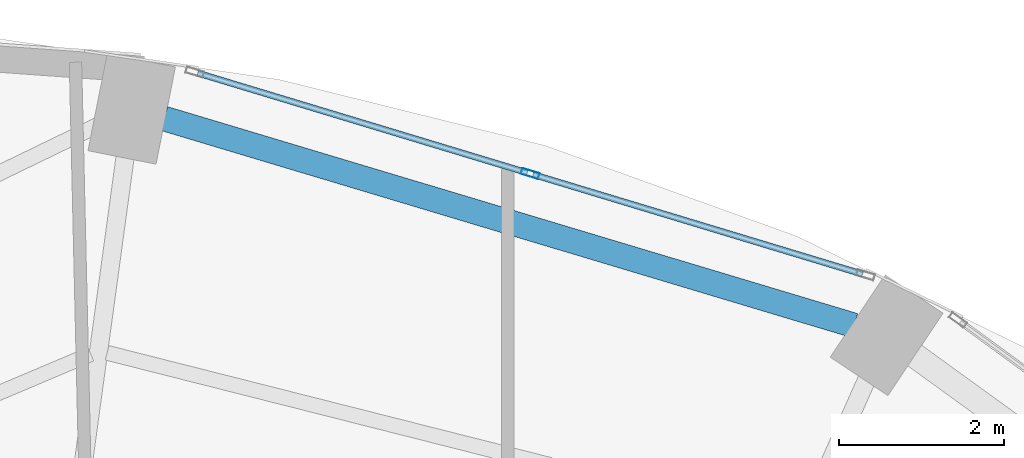
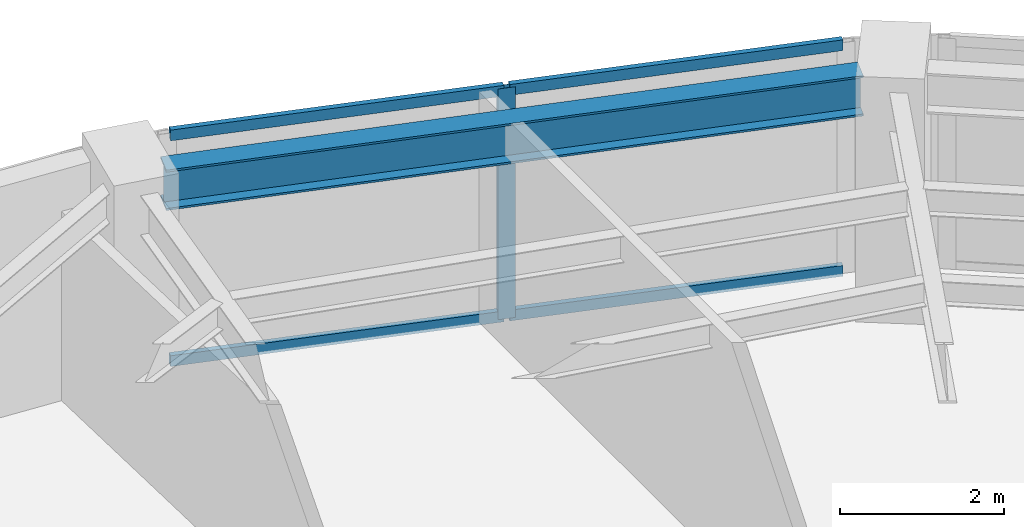
# One storey, part 18 of 24: 5 members, 1 beam, 1 element without a shape of its own.
"""IFC4 building model written with IfcOpenShell, lengths in metres."""

from ifc_helpers import new_model, si_unit, direction, frame, origin, origin_2d, place, context, subcontext, project, spatial, hollow_rectangle, i_section, extrude, material, layer, layer_set, material_profile, profile_set, type_object, element, aggregate, save


model = new_model("IFC4")

# Units and contexts
model_context = context("Model", 3, precision=1e-05, world=origin(), true_north=direction((0.0, 1.0)))
body_context = subcontext(model_context, "Body", "Model", "MODEL_VIEW")
ifc_project = project(units=[si_unit("LENGTHUNIT", "METRE"), si_unit("AREAUNIT", "SQUARE_METRE"), si_unit("VOLUMEUNIT", "CUBIC_METRE"), si_unit("PLANEANGLEUNIT", "RADIAN"), si_unit("MASSUNIT", "GRAM", prefix="KILO")], contexts=[model_context])

# Site, building, storey
site_placement = place(None, origin())
site = spatial("IfcSite", under=ifc_project, at=site_placement, CompositionType="ELEMENT")
building_placement = place(site_placement, origin())
building = spatial("IfcBuilding", under=site, at=building_placement, Name="Lazwardi Medical Tower", CompositionType="ELEMENT")
storey_placement = place(building_placement, frame((0.0, 0.0, 103.632080078125)))
storey = spatial("IfcBuildingStorey", under=building, at=storey_placement, Name="L26", CompositionType="ELEMENT", Elevation=103.632080078125)

# Beam
ifc_material_1 = material(Name="Steel S355", Category="steel")
ifc_material_profile_1 = material_profile(ifc_material_1, i_section(OverallWidth=0.300048828125, OverallDepth=0.60009765625, WebThickness=0.015380859375, FlangeThickness=0.030029296875, at=origin_2d()), Name="HEB 600")
ifc_profile_set_1 = profile_set([ifc_material_profile_1], Name="Steel S355")
beam_type = type_object("IfcBeamType", Name="BM-RB-Z2", PredefinedType="BEAM", material=ifc_profile_set_1)
beam_placement = place(storey_placement, frame((49.69091796875, 45.775390625, 3.1279296875), z_axis=(-0.957879438442, 0.287170648587, 0.0), x_axis=(-0.287170648587, -0.957879438442, 0.0)))
element("IfcBeam", 1, at=beam_placement, inside=storey, type_object=beam_type, Name="Ring beam RB-03 B07 L26", PredefinedType="BEAM", context=body_context, shape_type="SweptSolid", body=[
    extrude(i_section(OverallWidth=0.300048828125, OverallDepth=0.60009765625, WebThickness=0.015380859375, FlangeThickness=0.030029296875, at=origin_2d()), origin(), (0.0, 0.0, 1.0), 8.719970703125),
])

# Curtain wall, members
ifc_material_2 = material(Name="Anodised bronze aluminium and solar control glazing", Category="aluminium")
ifc_layer = layer(ifc_material_2, 0.195068359375)
ifc_layer_set = layer_set([ifc_layer], Name="Anodised bronze aluminium and solar control glazing")
curtain_wall_type = type_object("IfcCurtainWallType", Name="CW-SYS-03", PredefinedType="NOTDEFINED", material=ifc_layer_set)
curtain_wall_placement = place(storey_placement, origin())
curtain_wall = element("IfcCurtainWall", 2, at=curtain_wall_placement, inside=storey, type_object=curtain_wall_type, Name="L26 Unitised bronze curtain wall CW-03", PredefinedType="NOTDEFINED")
ifc_material_3 = material(Name="Anodised bronze aluminium", Category="aluminium")
ifc_material_profile_2 = material_profile(ifc_material_3, hollow_rectangle(XDim=0.074951171875, YDim=0.219970703125, WallThickness=0.00390625, at=origin_2d()), Name="ALU-MULLION 220x75x4")
ifc_profile_set_2 = profile_set([ifc_material_profile_2], Name="Anodised bronze aluminium")
member_type_1 = type_object("IfcMemberType", Name="CW-MUL-01", PredefinedType="MULLION", material=ifc_profile_set_2)
member_1_placement = place(storey_placement, frame((45.769287109375, 47.613037109375, 0.0), z_axis=(0.0, 0.0, 1.0), x_axis=(-0.28937381157, -0.957216170558, 0.0)))
member_1 = element("IfcMember", 3, at=member_1_placement, type_object=member_type_1, Name="CW-03 mullion 2", PredefinedType="MULLION", context=body_context, shape_type="SweptSolid", body=[
    extrude(hollow_rectangle(XDim=0.074951171875, YDim=0.219970703125, WallThickness=0.00390625, at=origin_2d()), origin(), (0.0, 0.0, 1.0), 3.427978515625),
])
ifc_material_profile_3 = material_profile(ifc_material_3, hollow_rectangle(XDim=0.074951171875, YDim=0.159912109375, WallThickness=0.00390625, at=origin_2d()), Name="ALU-TRANSOM 160x75x4")
ifc_profile_set_3 = profile_set([ifc_material_profile_3], Name="Anodised bronze aluminium")
member_type_2 = type_object("IfcMemberType", Name="CW-TRN-01", PredefinedType="USERDEFINED", material=ifc_profile_set_3)
member_2_placement = place(storey_placement, frame((49.79248046875, 46.396728515625, 0.037353515625), z_axis=(-0.957204630929, 0.289411980623, 0.0), x_axis=(-0.289411980623, -0.957204630929, 0.0)))
member_2 = element("IfcMember", 4, at=member_2_placement, type_object=member_type_2, Name="CW-03 transom 1.1", ObjectType="TRANSOM", PredefinedType="USERDEFINED", context=body_context, shape_type="SweptSolid", body=[
    extrude(hollow_rectangle(XDim=0.074951171875, YDim=0.159912109375, WallThickness=0.00390625, at=origin_2d()), origin(), (0.0, 0.0, 1.0), 4.16552734375),
])
member_3_placement = place(storey_placement, frame((49.79248046875, 46.396728515625, 3.390380859375), z_axis=(-0.957204630929, 0.289411980623, 0.0), x_axis=(-0.289411980623, -0.957204630929, 0.0)))
member_3 = element("IfcMember", 5, at=member_3_placement, type_object=member_type_2, Name="CW-03 transom 1.2", ObjectType="TRANSOM", PredefinedType="USERDEFINED", context=body_context, shape_type="SweptSolid", body=[
    extrude(hollow_rectangle(XDim=0.074951171875, YDim=0.159912109375, WallThickness=0.00390625, at=origin_2d()), origin(), (0.0, 0.0, 1.0), 4.16552734375),
])
member_4_placement = place(storey_placement, frame((45.7333984375, 47.6240234375, 0.037353515625), z_axis=(-0.957220865985, 0.289358279168, 0.0), x_axis=(-0.289358279168, -0.957220865985, 0.0)))
member_4 = element("IfcMember", 6, at=member_4_placement, type_object=member_type_2, Name="CW-03 transom 2.1", ObjectType="TRANSOM", PredefinedType="USERDEFINED", context=body_context, shape_type="SweptSolid", body=[
    extrude(hollow_rectangle(XDim=0.074951171875, YDim=0.159912109375, WallThickness=0.00390625, at=origin_2d()), origin(), (0.0, 0.0, 1.0), 4.16552734375),
])
member_5_placement = place(storey_placement, frame((45.7333984375, 47.6240234375, 3.390380859375), z_axis=(-0.957220865985, 0.289358279168, 0.0), x_axis=(-0.289358279168, -0.957220865985, 0.0)))
member_5 = element("IfcMember", 7, at=member_5_placement, type_object=member_type_2, Name="CW-03 transom 2.2", ObjectType="TRANSOM", PredefinedType="USERDEFINED", context=body_context, shape_type="SweptSolid", body=[
    extrude(hollow_rectangle(XDim=0.074951171875, YDim=0.159912109375, WallThickness=0.00390625, at=origin_2d()), origin(), (0.0, 0.0, 1.0), 4.16552734375),
])
aggregate(curtain_wall, [member_1, member_2, member_3, member_4, member_5])

save(model, "model.ifc")
